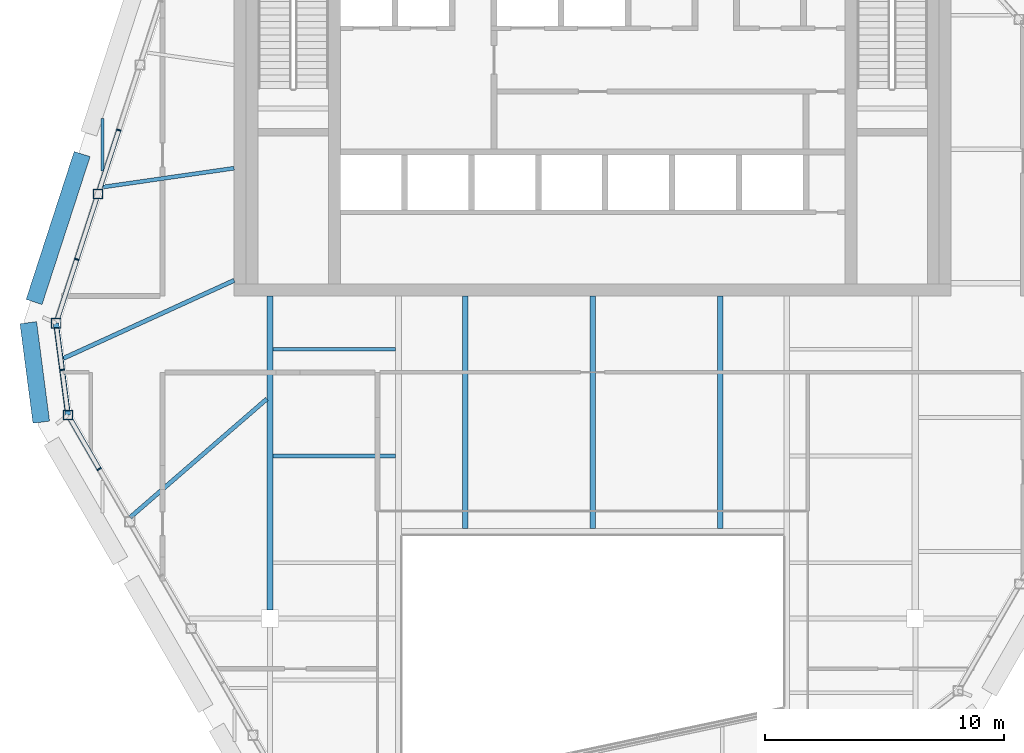
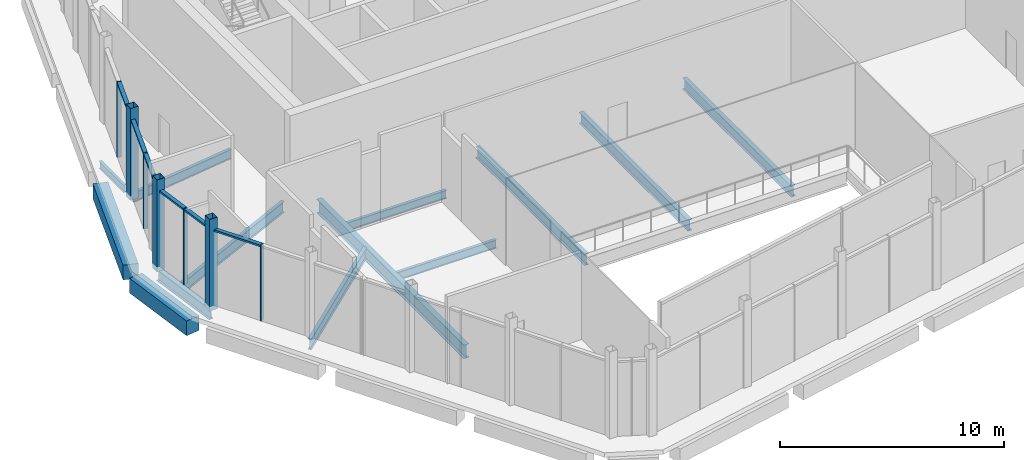
# One storey, part 3 of 12: 13 beams, 13 members, 3 elements without a shape of their own.
"""IFC4 building model written with IfcOpenShell, lengths in metres."""

import ifcopenshell
import ifcopenshell.guid

model = None  # the IFC model being written
_history = None  # IfcOwnerHistory: only IFC2X3 demands one
_inside = {}  # id of a spatial element -> (the spatial element, [elements in it])
_under = {}  # id of a project, library or spatial element -> (it, [spatial elements below it])
_declared = {}  # id of a project -> (the project, [libraries it declares])
_typed = {}  # id of a type object -> (the type object, [elements of that type])
_made_of = {}  # id of a material, layer set ... -> (it, [elements and type objects made of it])


def new_model(schema):
    """Start an empty IFC model of exactly this schema.

    Asked for "IFC4X3", IfcOpenShell would pick the latest addendum, in which some entities
    have other attributes; the version numbers below select the first issue.
    IFC2X3 requires an IfcOwnerHistory on every rooted entity: one is made here for all.
    """
    global model, _history
    if schema == "IFC4X3":
        model = ifcopenshell.file(schema_version=(4, 3, 0, 0))
    else:
        model = ifcopenshell.file(schema=schema)
    _inside.clear()
    _under.clear()
    _declared.clear()
    _typed.clear()
    _made_of.clear()
    _history = None
    if model.schema == "IFC2X3":
        org = make("IfcOrganization", Name="unknown")
        user = make(
            "IfcPersonAndOrganization",
            ThePerson=make("IfcPerson", FamilyName="unknown"),
            TheOrganization=org,
        )
        app = make(
            "IfcApplication",
            ApplicationDeveloper=org,
            Version="unknown",
            ApplicationFullName="unknown",
            ApplicationIdentifier="unknown",
        )
        _history = make(
            "IfcOwnerHistory",
            OwningUser=user,
            OwningApplication=app,
            ChangeAction="ADDED",
            CreationDate=0,
        )
    return model


def make(cls, **values):
    """One entity of the class cls with the attributes given. An attribute that is None is left unset."""
    return model.create_entity(
        cls, **{name: value for name, value in values.items() if value is not None}
    )


def rooted(cls, **values):
    """An entity with a GlobalId (a new one), such as an element, a storey or a relation."""
    return make(cls, GlobalId=ifcopenshell.guid.new(), OwnerHistory=_history, **values)


def si_unit(unit_type, name, prefix=None):
    """IfcSIUnit, for example si_unit("LENGTHUNIT", "METRE", prefix="MILLI")."""
    return make("IfcSIUnit", UnitType=unit_type, Prefix=prefix, Name=name)


def assignment(units):
    """IfcUnitAssignment: the units of a project."""
    return None if units is None else make("IfcUnitAssignment", Units=units)


def point(xyz):
    """IfcCartesianPoint."""
    return None if xyz is None else make("IfcCartesianPoint", Coordinates=xyz)


def direction(xyz):
    """IfcDirection."""
    return None if xyz is None else make("IfcDirection", DirectionRatios=xyz)


def frame(location, z_axis=None, x_axis=None):
    """IfcAxis2Placement3D, a coordinate frame: its origin and axes. An axis left out is left unset."""
    return make(
        "IfcAxis2Placement3D",
        Location=point(location),
        Axis=direction(z_axis),
        RefDirection=direction(x_axis),
    )


def frame_2d(location, x_axis=None):
    """IfcAxis2Placement2D, a coordinate frame in the plane: its origin and x axis."""
    return make(
        "IfcAxis2Placement2D", Location=point(location), RefDirection=direction(x_axis)
    )


def origin():
    """The frame at (0, 0, 0) with its axes left unset."""
    return frame((0.0, 0.0, 0.0))


def origin_2d():
    """The frame at (0, 0) in the plane with its x axis left unset."""
    return frame_2d((0.0, 0.0))


def place(relative_to, where):
    """IfcLocalPlacement: puts the frame where relative to a parent placement (None: the world)."""
    return make(
        "IfcLocalPlacement", PlacementRelTo=relative_to, RelativePlacement=where
    )


def context(
    kind, dimensions, precision=None, world=None, true_north=None, identifier=None
):
    """IfcGeometricRepresentationContext, for example the 3D "Model" context."""
    return make(
        "IfcGeometricRepresentationContext",
        ContextIdentifier=identifier,
        ContextType=kind,
        CoordinateSpaceDimension=dimensions,
        Precision=precision,
        WorldCoordinateSystem=world,
        TrueNorth=true_north,
    )


def subcontext(parent, identifier, kind, view, scale=None):
    """IfcGeometricRepresentationSubContext, for example "Body" below "Model"."""
    return make(
        "IfcGeometricRepresentationSubContext",
        ContextIdentifier=identifier,
        ContextType=kind,
        ParentContext=parent,
        TargetScale=scale,
        TargetView=view,
    )


def project(units=None, contexts=None):
    """IfcProject with its units and contexts."""
    return rooted(
        "IfcProject",
        Name="project",
        RepresentationContexts=contexts,
        UnitsInContext=assignment(units),
    )


def spatial(cls, under=None, at=None, **own):
    """A site, building, storey or space (cls), placed at a placement, below another one or the project."""
    s = rooted(cls, ObjectPlacement=at, **own)
    if under is not None:
        _under.setdefault(under.id(), (under, []))[1].append(s)
    return s


def profile(cls, at=None, kind="AREA", **sizes):
    """A parametric profile (cls). Its sizes go by their IFC names, for example OverallWidth=200.0."""
    return make(cls, ProfileType=kind, Position=at, **sizes)


def rectangle(**sizes):
    """IfcRectangleProfileDef."""
    return profile("IfcRectangleProfileDef", **sizes)


def hollow_rectangle(**sizes):
    """IfcRectangleHollowProfileDef."""
    return profile("IfcRectangleHollowProfileDef", **sizes)


def i_section(**sizes):
    """IfcIShapeProfileDef."""
    return profile("IfcIShapeProfileDef", **sizes)


def extrude(swept, where, along, depth):
    """IfcExtrudedAreaSolid: the profile swept, set in the frame where, extruded along a direction by depth."""
    return make(
        "IfcExtrudedAreaSolid",
        SweptArea=swept,
        Position=where,
        ExtrudedDirection=direction(along),
        Depth=depth,
    )


def shape(context_of_items, identifier, shape_type, items):
    """IfcShapeRepresentation: the items that make up one representation, for example the "Body"."""
    return make(
        "IfcShapeRepresentation",
        ContextOfItems=context_of_items,
        RepresentationIdentifier=identifier,
        RepresentationType=shape_type,
        Items=items,
    )


def material(Name=None, Category=None):
    """IfcMaterial."""
    return make("IfcMaterial", Name=Name, Category=Category)


def layer(
    of_material, thickness, ventilated=None, Name=None, Category=None, Priority=None
):
    """IfcMaterialLayer: one layer of a wall or slab, of a material (None: an air gap)."""
    return make(
        "IfcMaterialLayer",
        Material=of_material,
        LayerThickness=thickness,
        IsVentilated=ventilated,
        Name=Name,
        Category=Category,
        Priority=Priority,
    )


def layer_set(layers, Name=None):
    """IfcMaterialLayerSet."""
    return make("IfcMaterialLayerSet", MaterialLayers=layers, LayerSetName=Name)


def material_profile(
    of_material, cross_section, Name=None, Category=None, Priority=None
):
    """IfcMaterialProfile: a cross section and its material."""
    return make(
        "IfcMaterialProfile",
        Name=Name,
        Material=of_material,
        Profile=cross_section,
        Priority=Priority,
        Category=Category,
    )


def profile_set(profiles, Name=None, composite=None):
    """IfcMaterialProfileSet."""
    return make(
        "IfcMaterialProfileSet",
        Name=Name,
        MaterialProfiles=profiles,
        CompositeProfile=composite,
    )


def made_of(thing, what):
    """Note that an element or type object is made of a material, layer set ...; save() writes the relation."""
    if what is not None:
        _made_of.setdefault(what.id(), (what, []))[1].append(thing)
    return thing


def type_object(cls, material=None, **own):
    """A type object (cls), such as IfcWallType, which elements share."""
    return made_of(rooted(cls, **own), material)


def element(
    cls,
    number,
    at=None,
    inside=None,
    cuts=None,
    type_object=None,
    material=None,
    context=None,
    identifier="Body",
    shape_type=None,
    held_by="IfcProductDefinitionShape",
    body=None,
    shapes=None,
    **own,
):
    """One element of the class cls, such as IfcWall. Its Tag is "e" and its number.

    at: its placement. inside: the storey or other place that contains it. cuts: it is an
    opening in that element (IfcRelVoidsElement). A single representation is given by context,
    identifier, shape_type and body (its items); several are given by shapes. held_by: the class
    of the entity that holds the representations. save() writes the other relations.
    """
    e = rooted(cls, Tag="e%d" % number, ObjectPlacement=at, **own)
    if body is not None:
        shapes = [shape(context, identifier, shape_type, body)]
    if shapes is not None:
        e.Representation = make(held_by, Representations=shapes)
    if inside is not None:
        _inside.setdefault(inside.id(), (inside, []))[1].append(e)
    if cuts is not None:
        rooted(
            "IfcRelVoidsElement", RelatingBuildingElement=cuts, RelatedOpeningElement=e
        )
    if type_object is not None:
        _typed.setdefault(type_object.id(), (type_object, []))[1].append(e)
    return made_of(e, material)


def aggregate(whole, parts):
    """IfcRelAggregates: a whole, such as a stair, and the parts it consists of."""
    return rooted("IfcRelAggregates", RelatingObject=whole, RelatedObjects=parts)


def save(model, path):
    """Write the relations noted so far, then the file.

    IfcRelAggregates (storeys below a building ...), IfcRelContainedInSpatialStructure (elements
    in a storey), IfcRelDefinesByType, IfcRelAssociatesMaterial and IfcRelDeclares: one each for
    every whole, place, type object, material and project.
    """
    for whole, parts in _under.values():
        aggregate(whole, parts)
    for where, things in _inside.values():
        rooted(
            "IfcRelContainedInSpatialStructure",
            RelatedElements=things,
            RelatingStructure=where,
        )
    for kind, things in _typed.values():
        rooted("IfcRelDefinesByType", RelatedObjects=things, RelatingType=kind)
    for what, things in _made_of.values():
        rooted("IfcRelAssociatesMaterial", RelatedObjects=things, RelatingMaterial=what)
    for by, libraries in _declared.values():
        rooted("IfcRelDeclares", RelatingContext=by, RelatedDefinitions=libraries)
    model.write(path)


model = new_model("IFC4")

# Units and contexts
model_context = context("Model", 3, precision=1e-05, world=origin(), true_north=direction((0.0, 1.0)))
body_context = subcontext(model_context, "Body", "Model", "MODEL_VIEW")
ifc_project = project(units=[si_unit("LENGTHUNIT", "METRE"), si_unit("AREAUNIT", "SQUARE_METRE"), si_unit("VOLUMEUNIT", "CUBIC_METRE"), si_unit("PLANEANGLEUNIT", "RADIAN"), si_unit("MASSUNIT", "GRAM", prefix="KILO")], contexts=[model_context])

# Site, building, storey
site_placement = place(None, origin())
site = spatial("IfcSite", under=ifc_project, at=site_placement, CompositionType="ELEMENT")
building_placement = place(site_placement, origin())
building = spatial("IfcBuilding", under=site, at=building_placement, Name="Isthmus Gate Tower", CompositionType="ELEMENT")
storey_placement = place(building_placement, frame((0.0, 0.0, 301.10009765625)))
storey = spatial("IfcBuildingStorey", under=building, at=storey_placement, Name="C1", CompositionType="ELEMENT", Elevation=301.10009765625)

# Members
ifc_material_1 = material(Name="Structural steel ASTM A500 Gr C", Category="steel")
ifc_material_profile_1 = material_profile(ifc_material_1, hollow_rectangle(XDim=0.406494140625, YDim=0.406494140625, WallThickness=0.017578125, at=origin_2d()), Name="HSS16X16X3/4")
ifc_profile_set_1 = profile_set([ifc_material_profile_1], Name="Structural steel ASTM A500 Gr C")
member_type_1 = type_object("IfcMemberType", Name="CROWN POST HSS16X16X3/4", PredefinedType="POST", material=ifc_profile_set_1)
for number, where, z_axis, x_axis, name in (
    (1, (-20.693359375, 4.26123046875, -0.25), (0.0, 0.0, 1.0), (1.0, 0.0, 0.0), "str-crownpost-C1-09"),
    (2, (-22.449462890625, -1.1435546875, -0.25), (0.0, 0.0, 1.0), (1.0, 0.0, 0.0), "str-crownpost-C1-10"),
    (3, (-21.949462890625, -4.982177734375, -0.25), (0.0, 0.0, 1.0), (1.0, 0.0, 0.0), "str-crownpost-C1-11"),
):
    element("IfcMember", number, at=place(storey_placement, frame(where, z_axis=z_axis, x_axis=x_axis)), inside=storey, type_object=member_type_1, Name=name, PredefinedType="POST", context=body_context, shape_type="SweptSolid", body=[
        extrude(hollow_rectangle(XDim=0.406494140625, YDim=0.406494140625, WallThickness=0.017578125, at=origin_2d()), origin(), (0.0, 0.0, 1.0), 5.0),
    ])

# Beam
ifc_material_2 = material(Name="Structural steel ASTM A992 Gr 50", Category="steel")
ifc_material_profile_2 = material_profile(ifc_material_2, i_section(OverallWidth=0.231689453125, OverallDepth=0.615966796875, WebThickness=0.0126953125, FlangeThickness=0.022216796875, at=origin_2d()), Name="W24X94")
ifc_profile_set_2 = profile_set([ifc_material_profile_2], Name="Structural steel ASTM A992 Gr 50")
beam_type_1 = type_object("IfcBeamType", Name="CROWN RING BEAM W24X94", PredefinedType="BEAM", material=ifc_profile_set_2)
beam_1_placement = place(storey_placement, frame((-22.449462890625, -1.1435546875, -0.55810546875), z_axis=(0.129163927133, -0.991623255036, 0.0), x_axis=(0.991623255036, 0.129163927133, 0.0)))
element("IfcBeam", 4, at=beam_1_placement, inside=storey, type_object=beam_type_1, Name="str-crownring-C1-03", PredefinedType="BEAM", context=body_context, shape_type="SweptSolid", body=[
    extrude(i_section(OverallWidth=0.231689453125, OverallDepth=0.615966796875, WebThickness=0.0126953125, FlangeThickness=0.022216796875, at=origin_2d()), origin(), (0.0, 0.0, 1.0), 3.87109375),
])

# Curtain wall, members
ifc_material_3 = material(Name="Aluminium, pale champagne anodised", Category="aluminium")
ifc_layer = layer(ifc_material_3, 0.199951171875)
ifc_layer_set = layer_set([ifc_layer], Name="CW-2 LOUVRE CURTAIN WALL 200 DEEP")
curtain_wall_type = type_object("IfcCurtainWallType", Name="CW-2 LOUVRE CURTAIN WALL 200 DEEP", PredefinedType="NOTDEFINED", material=ifc_layer_set)
curtain_wall_1_placement = place(storey_placement, origin())
curtain_wall_1 = element("IfcCurtainWall", 5, at=curtain_wall_1_placement, inside=storey, type_object=curtain_wall_type, Name="CW-2 E02 C1", PredefinedType="NOTDEFINED")
ifc_material_4 = material(Name="Aluminium, pale champagne anodised", Category="aluminium")
ifc_material_profile_3 = material_profile(ifc_material_4, rectangle(XDim=0.06005859375, YDim=0.199951171875, at=origin_2d()), Name="60x200")
ifc_profile_set_3 = profile_set([ifc_material_profile_3], Name="Aluminium, pale champagne anodised")
member_type_2 = type_object("IfcMemberType", Name="CW-2 MULLION 60 X 200", PredefinedType="MULLION", material=ifc_profile_set_3)
member_1_placement = place(storey_placement, frame((-19.82470703125, 6.93505859375, 0.0), z_axis=(0.0, 0.0, 1.0), x_axis=(-0.309016994375, -0.951056516295, 0.0)))
member_1 = element("IfcMember", 6, at=member_1_placement, type_object=member_type_2, Name="CW-2 mullion", PredefinedType="MULLION", context=body_context, shape_type="SweptSolid", body=[
    extrude(rectangle(XDim=0.06005859375, YDim=0.199951171875, at=origin_2d()), origin(), (0.0, 0.0, 1.0), 4.134033203125),
])
member_2_placement = place(storey_placement, frame((-21.580810546875, 1.5302734375, 0.0), z_axis=(0.0, 0.0, 1.0), x_axis=(-0.309016994375, -0.951056516295, 0.0)))
member_2 = element("IfcMember", 7, at=member_2_placement, type_object=member_type_2, Name="CW-2 mullion", PredefinedType="MULLION", context=body_context, shape_type="SweptSolid", body=[
    extrude(rectangle(XDim=0.06005859375, YDim=0.199951171875, at=origin_2d()), origin(), (0.0, 0.0, 1.0), 4.134033203125),
])

# Curtain wall, member
curtain_wall_2_placement = place(storey_placement, origin())
curtain_wall_2 = element("IfcCurtainWall", 8, at=curtain_wall_2_placement, inside=storey, type_object=curtain_wall_type, Name="CW-2 E03 C1", PredefinedType="NOTDEFINED")
member_3_placement = place(storey_placement, frame((-22.195556640625, -3.0927734375, 0.0), z_axis=(0.0, 0.0, 1.0), x_axis=(0.129164534, -0.991623175988, 0.0)))
member_3 = element("IfcMember", 9, at=member_3_placement, type_object=member_type_2, Name="CW-2 mullion", PredefinedType="MULLION", context=body_context, shape_type="SweptSolid", body=[
    extrude(rectangle(XDim=0.06005859375, YDim=0.199951171875, at=origin_2d()), origin(), (0.0, 0.0, 1.0), 4.134033203125),
])

curtain_wall_3_placement = place(storey_placement, origin())
curtain_wall_3 = element("IfcCurtainWall", 10, at=curtain_wall_3_placement, inside=storey, type_object=curtain_wall_type, Name="CW-2 E04 C1", PredefinedType="NOTDEFINED")
member_4_placement = place(storey_placement, frame((-20.645263671875, -7.241455078125, 0.0), z_axis=(0.0, 0.0, 1.0), x_axis=(0.5, -0.866025403784, 0.0)))
member_4 = element("IfcMember", 11, at=member_4_placement, type_object=member_type_2, Name="CW-2 mullion", PredefinedType="MULLION", context=body_context, shape_type="SweptSolid", body=[
    extrude(rectangle(XDim=0.06005859375, YDim=0.199951171875, at=origin_2d()), origin(), (0.0, 0.0, 1.0), 4.134033203125),
])

# Member
ifc_material_5 = material(Name="Aluminium, pale champagne anodised", Category="aluminium")
ifc_material_profile_4 = material_profile(ifc_material_5, rectangle(XDim=0.199951171875, YDim=0.10009765625, at=origin_2d()), Name="200x100")
ifc_profile_set_4 = profile_set([ifc_material_profile_4], Name="Aluminium, pale champagne anodised")
member_type_3 = type_object("IfcMemberType", Name="CW-2 TRANSOM 200 X 100", PredefinedType="USERDEFINED", material=ifc_profile_set_4)
member_5_placement = place(storey_placement, frame((-19.833984375, 6.90673828125, 4.083984375), z_axis=(-0.308974732738, -0.951070246895, 0.0), x_axis=(0.951070246895, -0.308974732738, 0.0)))
member_5 = element("IfcMember", 12, at=member_5_placement, type_object=member_type_3, Name="CW-2 transom", ObjectType="TRANSOM", PredefinedType="USERDEFINED", context=body_context, shape_type="SweptSolid", body=[
    extrude(rectangle(XDim=0.199951171875, YDim=0.10009765625, at=origin_2d()), origin(), (0.0, 0.0, 1.0), 2.578369140625),
])

member_6_placement = place(storey_placement, frame((-20.756103515625, 4.068115234375, 4.083984375), z_axis=(-0.30905677999, -0.951043588245, 0.0), x_axis=(0.951043588245, -0.30905677999, 0.0)))
member_6 = element("IfcMember", 13, at=member_6_placement, type_object=member_type_3, Name="CW-2 transom", ObjectType="TRANSOM", PredefinedType="USERDEFINED", context=body_context, shape_type="SweptSolid", body=[
    extrude(rectangle(XDim=0.199951171875, YDim=0.10009765625, at=origin_2d()), origin(), (0.0, 0.0, 1.0), 2.638427734375),
])

member_7_placement = place(storey_placement, frame((-21.590087890625, 1.501708984375, 4.083984375), z_axis=(-0.308974732738, -0.951070246895, 0.0), x_axis=(0.951070246895, -0.308974732738, 0.0)))
member_7 = element("IfcMember", 14, at=member_7_placement, type_object=member_type_3, Name="CW-2 transom", ObjectType="TRANSOM", PredefinedType="USERDEFINED", context=body_context, shape_type="SweptSolid", body=[
    extrude(rectangle(XDim=0.199951171875, YDim=0.10009765625, at=origin_2d()), origin(), (0.0, 0.0, 1.0), 2.578369140625),
])

aggregate(curtain_wall_1, [member_1, member_5, member_6, member_2, member_7])

member_8_placement = place(storey_placement, frame((-22.42333984375, -1.34521484375, 4.083984375), z_axis=(0.129236757145, -0.99161376584, 0.0), x_axis=(0.99161376584, 0.129236757145, 0.0)))
member_8 = element("IfcMember", 15, at=member_8_placement, type_object=member_type_3, Name="CW-2 transom", ObjectType="TRANSOM", PredefinedType="USERDEFINED", context=body_context, shape_type="SweptSolid", body=[
    extrude(rectangle(XDim=0.199951171875, YDim=0.10009765625, at=origin_2d()), origin(), (0.0, 0.0, 1.0), 1.732421875),
])

member_9_placement = place(storey_placement, frame((-22.19189453125, -3.12255859375, 4.083984375), z_axis=(0.129208110505, -0.991617498928, 0.0), x_axis=(0.991617498928, 0.129208110505, 0.0)))
member_9 = element("IfcMember", 16, at=member_9_placement, type_object=member_type_3, Name="CW-2 transom", ObjectType="TRANSOM", PredefinedType="USERDEFINED", context=body_context, shape_type="SweptSolid", body=[
    extrude(rectangle(XDim=0.199951171875, YDim=0.10009765625, at=origin_2d()), origin(), (0.0, 0.0, 1.0), 1.672119140625),
])

aggregate(curtain_wall_2, [member_8, member_3, member_9])

member_10_placement = place(storey_placement, frame((-21.847900390625, -5.158203125, 4.083984375), z_axis=(0.49997450891, -0.866040120572, 0.0), x_axis=(0.866040120572, 0.49997450891, 0.0)))
member_10 = element("IfcMember", 17, at=member_10_placement, type_object=member_type_3, Name="CW-2 transom", ObjectType="TRANSOM", PredefinedType="USERDEFINED", context=body_context, shape_type="SweptSolid", body=[
    extrude(rectangle(XDim=0.199951171875, YDim=0.10009765625, at=origin_2d()), origin(), (0.0, 0.0, 1.0), 2.37548828125),
])

aggregate(curtain_wall_3, [member_10, member_4])

# Beams
ifc_material_6 = material(Name="Concrete f'c 50 MPa", Category="concrete")
ifc_material_profile_5 = material_profile(ifc_material_6, rectangle(XDim=0.699951171875, YDim=0.800048828125, at=origin_2d()), Name="RC 700X800")
ifc_profile_set_5 = profile_set([ifc_material_profile_5], Name="Concrete f'c 50 MPa")
beam_type_2 = type_object("IfcBeamType", Name="RC ROOF RING BEAM 700 X 800", PredefinedType="BEAM", material=ifc_profile_set_5)
beam_2_placement = place(storey_placement, frame((-23.070068359375, -5.283447265625, -0.650146484375), z_axis=(-0.129137748309, 0.991626664608, 0.0), x_axis=(-0.991626664608, -0.129137748309, 0.0)))
element("IfcBeam", 18, at=beam_2_placement, inside=storey, type_object=beam_type_2, Name="str-roofring-C1-16", PredefinedType="BEAM", context=body_context, shape_type="SweptSolid", body=[
    extrude(rectangle(XDim=0.699951171875, YDim=0.800048828125, at=origin_2d()), origin(), (0.0, 0.0, 1.0), 4.197021484375),
])
beam_3_placement = place(storey_placement, frame((-23.36962890625, -0.254150390625, -0.650146484375), z_axis=(0.30901480678, 0.951057227085, 0.0), x_axis=(-0.951057227085, 0.30901480678, 0.0)))
element("IfcBeam", 19, at=beam_3_placement, inside=storey, type_object=beam_type_2, Name="str-roofring-C1-17", PredefinedType="BEAM", context=body_context, shape_type="SweptSolid", body=[
    extrude(rectangle(XDim=0.699951171875, YDim=0.800048828125, at=origin_2d()), origin(), (0.0, 0.0, 1.0), 6.5068359375),
])
ifc_material_7 = material(Name="Structural steel ASTM A992 Gr 50", Category="steel")
ifc_material_profile_6 = material_profile(ifc_material_7, i_section(OverallWidth=0.15234375, OverallDepth=0.45068359375, WebThickness=0.0078125, FlangeThickness=0.010986328125, at=origin_2d()), Name="W18X35")
ifc_profile_set_6 = profile_set([ifc_material_profile_6], Name="Structural steel ASTM A992 Gr 50")
beam_type_3 = type_object("IfcBeamType", Name="STEEL FLOOR BEAM W18X35", PredefinedType="JOIST", material=ifc_profile_set_6)
for number, where, z_axis, x_axis, name in (
    (20, (-13.3681640625, -6.697509765625, -0.4755859375), (1.0, 0.0, 0.0), (0.0, 1.0, 0.0), "str-beam-C1-01-01"),
    (21, (-13.3681640625, -2.232421875, -0.4755859375), (1.0, 0.0, 0.0), (0.0, 1.0, 0.0), "str-beam-C1-01-02"),
):
    element("IfcBeam", number, at=place(storey_placement, frame(where, z_axis=z_axis, x_axis=x_axis)), inside=storey, type_object=beam_type_3, Name=name, PredefinedType="JOIST", context=body_context, shape_type="SweptSolid", body=[
        extrude(i_section(OverallWidth=0.15234375, OverallDepth=0.45068359375, WebThickness=0.0078125, FlangeThickness=0.010986328125, at=origin_2d()), origin(), (0.0, 0.0, 1.0), 5.1142578125),
    ])
ifc_material_8 = material(Name="Structural steel ASTM A992 Gr 50", Category="steel")
ifc_material_profile_7 = material_profile(ifc_material_8, i_section(OverallWidth=0.1650390625, OverallDepth=0.52392578125, WebThickness=0.009521484375, FlangeThickness=0.010986328125, at=origin_2d()), Name="W21X44")
ifc_profile_set_7 = profile_set([ifc_material_profile_7], Name="Structural steel ASTM A992 Gr 50")
beam_type_4 = type_object("IfcBeamType", Name="STEEL FLOOR BEAM W21X44", PredefinedType="JOIST", material=ifc_profile_set_7)
beam_4_placement = place(storey_placement, frame((-15.0, 5.34326171875, -0.511962890625), z_axis=(-0.989826435452, -0.142280102898, 0.0), x_axis=(0.142280102898, -0.989826435452, 0.0)))
element("IfcBeam", 22, at=beam_4_placement, inside=storey, type_object=beam_type_4, Name="str-beam-C1-03-09", PredefinedType="JOIST", context=body_context, shape_type="SweptSolid", body=[
    extrude(i_section(OverallWidth=0.1650390625, OverallDepth=0.52392578125, WebThickness=0.009521484375, FlangeThickness=0.010986328125, at=origin_2d()), origin(), (0.0, 0.0, 1.0), 5.5322265625),
])
ifc_material_9 = material(Name="Structural steel ASTM A992 Gr 50", Category="steel")
ifc_material_profile_8 = material_profile(ifc_material_9, i_section(OverallWidth=0.177734375, OverallDepth=0.60009765625, WebThickness=0.009521484375, FlangeThickness=0.0126953125, at=origin_2d()), Name="W24X55")
ifc_profile_set_8 = profile_set([ifc_material_profile_8], Name="Structural steel ASTM A992 Gr 50")
beam_type_5 = type_object("IfcBeamType", Name="STEEL FLOOR BEAM W24X55", PredefinedType="JOIST", material=ifc_profile_set_8)
beam_5_placement = place(storey_placement, frame((-15.0, 0.649658203125, -0.550048828125), z_axis=(-0.90963768392, -0.415402556555, 0.0), x_axis=(0.415402556555, -0.90963768392, 0.0)))
element("IfcBeam", 23, at=beam_5_placement, inside=storey, type_object=beam_type_5, Name="str-beam-C1-03-10", PredefinedType="JOIST", context=body_context, shape_type="SweptSolid", body=[
    extrude(i_section(OverallWidth=0.177734375, OverallDepth=0.60009765625, WebThickness=0.009521484375, FlangeThickness=0.0126953125, at=origin_2d()), origin(), (0.0, 0.0, 1.0), 7.850830078125),
])
beam_6_placement = place(storey_placement, frame((-13.6318359375, -4.31201171875, -0.550048828125), z_axis=(-0.755753017684, -0.65485676011, 0.0), x_axis=(0.65485676011, -0.755753017684, 0.0)))
element("IfcBeam", 24, at=beam_6_placement, inside=storey, type_object=beam_type_5, Name="str-beam-C1-03-11", PredefinedType="JOIST", context=body_context, shape_type="SweptSolid", body=[
    extrude(i_section(OverallWidth=0.177734375, OverallDepth=0.60009765625, WebThickness=0.009521484375, FlangeThickness=0.0126953125, at=origin_2d()), origin(), (0.0, 0.0, 1.0), 7.55908203125),
])
ifc_material_10 = material(Name="Structural steel ASTM A992 Gr 50", Category="steel")
ifc_material_profile_9 = material_profile(ifc_material_10, i_section(OverallWidth=0.228515625, OverallDepth=0.603271484375, WebThickness=0.010986328125, FlangeThickness=0.014404296875, at=origin_2d()), Name="W24X68")
ifc_profile_set_9 = profile_set([ifc_material_profile_9], Name="Structural steel ASTM A992 Gr 50")
beam_type_6 = type_object("IfcBeamType", Name="STEEL FLOOR BEAM W24X68", PredefinedType="JOIST", material=ifc_profile_set_9)
for number, where, z_axis, x_axis, name in (
    (25, (-5.333251953125, -9.7333984375, -0.5517578125), (0.0, 1.0, 0.0), (-1.0, 0.0, 0.0), "str-beam-C1-05-00"),
    (26, (0.0, -9.7333984375, -0.5517578125), (0.0, 1.0, 0.0), (-1.0, 0.0, 0.0), "str-beam-C1-05-01"),
    (27, (5.333251953125, -9.7333984375, -0.5517578125), (0.0, 1.0, 0.0), (-1.0, 0.0, 0.0), "str-beam-C1-05-02"),
):
    element("IfcBeam", number, at=place(storey_placement, frame(where, z_axis=z_axis, x_axis=x_axis)), inside=storey, type_object=beam_type_6, Name=name, PredefinedType="JOIST", context=body_context, shape_type="SweptSolid", body=[
        extrude(i_section(OverallWidth=0.228515625, OverallDepth=0.603271484375, WebThickness=0.010986328125, FlangeThickness=0.014404296875, at=origin_2d()), origin(), (0.0, 0.0, 1.0), 9.7333984375),
    ])
ifc_material_11 = material(Name="Structural steel ASTM A992 Gr 50", Category="steel")
ifc_material_profile_10 = material_profile(ifc_material_11, i_section(OverallWidth=0.263427734375, OverallDepth=0.749267578125, WebThickness=0.0126953125, FlangeThickness=0.015869140625, at=origin_2d()), Name="W30X90")
ifc_profile_set_10 = profile_set([ifc_material_profile_10], Name="Structural steel ASTM A992 Gr 50")
beam_type_7 = type_object("IfcBeamType", Name="STEEL GIRDER W30X90", PredefinedType="BEAM", material=ifc_profile_set_10)
beam_7_placement = place(storey_placement, frame((-13.5, -13.14990234375, -0.624755859375), z_axis=(0.0, 1.0, 0.0), x_axis=(-1.0, 0.0, 0.0)))
element("IfcBeam", 28, at=beam_7_placement, inside=storey, type_object=beam_type_7, Name="str-girder-C1-06", PredefinedType="BEAM", context=body_context, shape_type="SweptSolid", body=[
    extrude(i_section(OverallWidth=0.263427734375, OverallDepth=0.749267578125, WebThickness=0.0126953125, FlangeThickness=0.015869140625, at=origin_2d()), origin(), (0.0, 0.0, 1.0), 13.14990234375),
])
ifc_material_12 = material(Name="Structural steel ASTM A992 Gr 50", Category="steel")
ifc_material_profile_11 = material_profile(ifc_material_12, i_section(OverallWidth=0.1396484375, OverallDepth=0.4033203125, WebThickness=0.00634765625, FlangeThickness=0.010986328125, at=origin_2d()), Name="W16X31")
ifc_profile_set_11 = profile_set([ifc_material_profile_11], Name="Structural steel ASTM A992 Gr 50")
beam_type_8 = type_object("IfcBeamType", Name="STEEL LEDGE BEAM W16X31", PredefinedType="JOIST", material=ifc_profile_set_11)
beam_8_placement = place(storey_placement, frame((-20.505615234375, 5.2275390625, -0.45166015625), z_axis=(0.0, 1.0, 0.0), x_axis=(-1.0, 0.0, 0.0)))
element("IfcBeam", 29, at=beam_8_placement, inside=storey, type_object=beam_type_8, Name="str-ringbeam-C1-00-01", PredefinedType="JOIST", context=body_context, shape_type="SweptSolid", body=[
    extrude(i_section(OverallWidth=0.1396484375, OverallDepth=0.4033203125, WebThickness=0.00634765625, FlangeThickness=0.010986328125, at=origin_2d()), origin(), (0.0, 0.0, 1.0), 2.200439453125),
])

save(model, "model.ifc")
